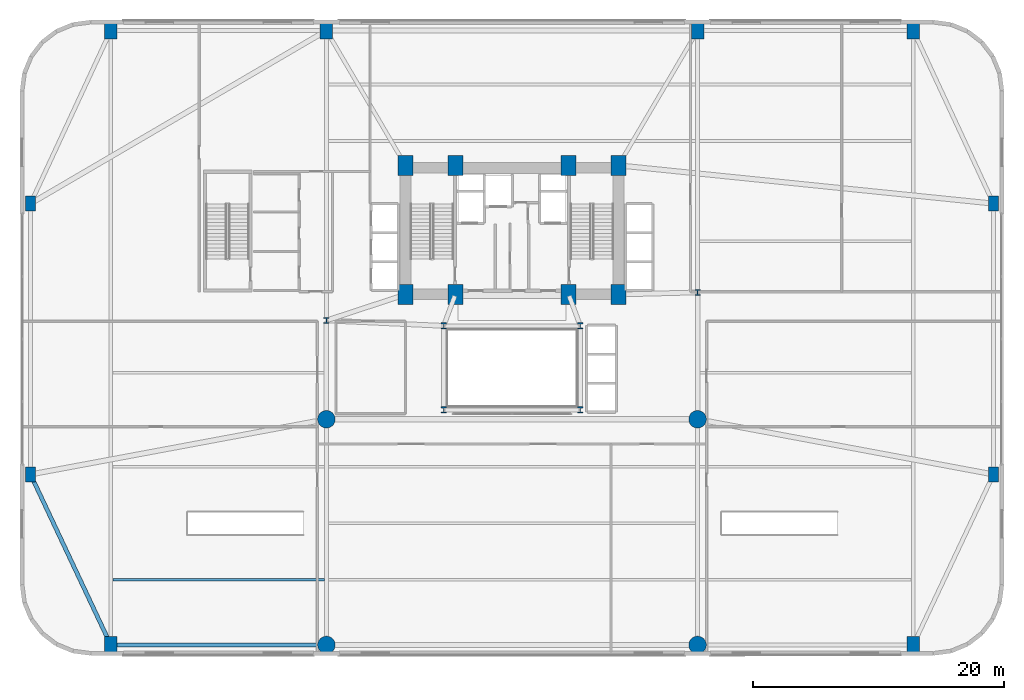
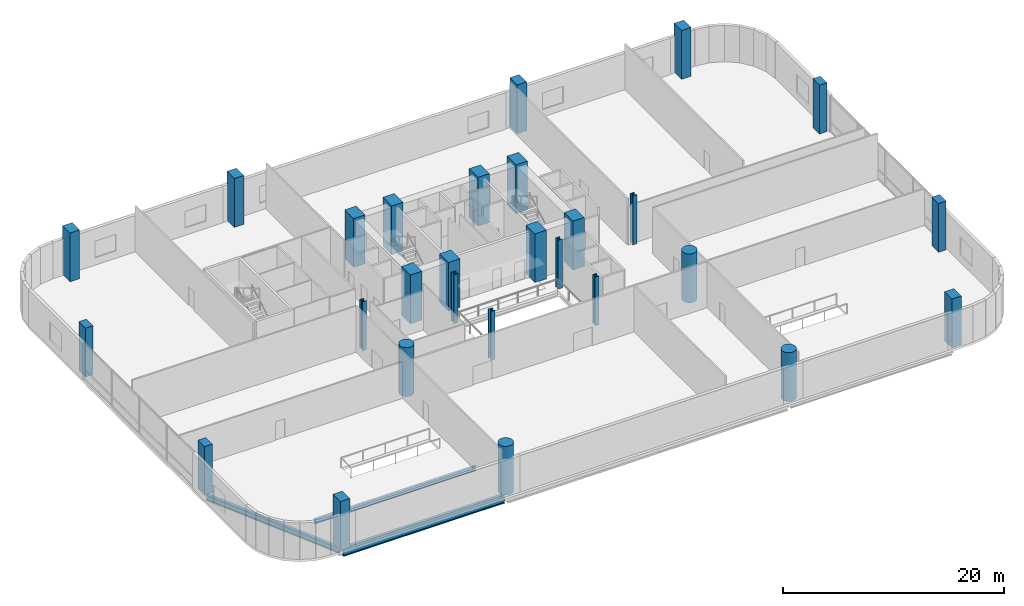
# One storey, part 1 of 31: 28 columns, 3 beams.
"""IFC4 building model written with IfcOpenShell, lengths in metres."""

from ifc_helpers import new_model, si_unit, direction, frame, origin, origin_2d, place, context, subcontext, project, spatial, rectangle, circle, i_section, extrude, material, material_profile, profile_set, type_object, element, save


model = new_model("IFC4")

# Units and contexts
model_context = context("Model", 3, precision=1e-05, world=origin(), true_north=direction((0.0, 1.0)))
body_context = subcontext(model_context, "Body", "Model", "MODEL_VIEW")
ifc_project = project(units=[si_unit("LENGTHUNIT", "METRE"), si_unit("AREAUNIT", "SQUARE_METRE"), si_unit("VOLUMEUNIT", "CUBIC_METRE"), si_unit("PLANEANGLEUNIT", "RADIAN"), si_unit("MASSUNIT", "GRAM", prefix="KILO")], contexts=[model_context])

# Site, building, storey
site_placement = place(None, origin())
site = spatial("IfcSite", under=ifc_project, at=site_placement, CompositionType="ELEMENT")
building_placement = place(site_placement, origin())
building = spatial("IfcBuilding", under=site, at=building_placement, Name="Varnelok Gate Tower", CompositionType="ELEMENT")
storey_placement = place(building_placement, frame((0.0, 0.0, 16.199951171875)))
storey = spatial("IfcBuildingStorey", under=building, at=storey_placement, Name="L03", CompositionType="ELEMENT", Elevation=16.199951171875)

# Columns
ifc_material_1 = material(Name="Concrete C60/75", Category="concrete")
ifc_material_profile_1 = material_profile(ifc_material_1, rectangle(XDim=0.800048828125, YDim=1.199951171875, at=origin_2d()), Name="RC1200X800")
ifc_profile_set_1 = profile_set([ifc_material_profile_1], Name="Concrete C60/75")
column_type_1 = type_object("IfcColumnType", Name="COL-PIL-RC1200", PredefinedType="PILASTER", material=ifc_profile_set_1)
for number, where, z_axis, x_axis, name in (
    (1, (0.800048828125, 14.39990234375, 0.0), (0.0, 0.0, 1.0), (1.0, 0.0, 0.0), "L03 Podium Mega-Column PM11"),
    (2, (0.800048828125, 36.0, 0.0), (0.0, 0.0, 1.0), (1.0, 0.0, 0.0), "L03 Podium Mega-Column PM12"),
    (3, (77.60009765625, 14.39990234375, 0.0), (0.0, 0.0, 1.0), (1.0, 0.0, 0.0), "L03 Podium Mega-Column PM13"),
    (4, (77.60009765625, 36.0, 0.0), (0.0, 0.0, 1.0), (1.0, 0.0, 0.0), "L03 Podium Mega-Column PM14"),
):
    element("IfcColumn", number, at=place(storey_placement, frame(where, z_axis=z_axis, x_axis=x_axis)), inside=storey, type_object=column_type_1, Name=name, PredefinedType="PILASTER", context=body_context, shape_type="SweptSolid", body=[
        extrude(rectangle(XDim=0.800048828125, YDim=1.199951171875, at=origin_2d()), origin(), (0.0, 0.0, 1.0), 5.400146484375),
    ])
ifc_material_2 = material(Name="Concrete C70/85", Category="concrete")
ifc_material_profile_2 = material_profile(ifc_material_2, rectangle(XDim=1.0, YDim=1.35009765625, at=origin_2d()), Name="RC1350X1000")
ifc_profile_set_2 = profile_set([ifc_material_profile_2], Name="Concrete C70/85")
column_type_2 = type_object("IfcColumnType", Name="COL-RC1350X1000", PredefinedType="COLUMN", material=ifc_profile_set_2)
for number, where, z_axis, x_axis, name in (
    (5, (7.199951171875, 0.800048828125, 0.0), (0.0, 0.0, 1.0), (1.0, 0.0, 0.0), "L03 Podium Mega-Column PM01"),
    (6, (71.199951171875, 0.800048828125, 0.0), (0.0, 0.0, 1.0), (1.0, 0.0, 0.0), "L03 Podium Mega-Column PM04"),
    (7, (7.199951171875, 49.800048828125, 0.0), (0.0, 0.0, 1.0), (1.0, 0.0, 0.0), "L03 Podium Mega-Column PM07"),
    (8, (24.39990234375, 49.800048828125, 0.0), (0.0, 0.0, 1.0), (1.0, 0.0, 0.0), "L03 Podium Mega-Column PM08"),
    (9, (54.0, 49.800048828125, 0.0), (0.0, 0.0, 1.0), (1.0, 0.0, 0.0), "L03 Podium Mega-Column PM09"),
    (10, (71.199951171875, 49.800048828125, 0.0), (0.0, 0.0, 1.0), (1.0, 0.0, 0.0), "L03 Podium Mega-Column PM10"),
):
    element("IfcColumn", number, at=place(storey_placement, frame(where, z_axis=z_axis, x_axis=x_axis)), inside=storey, type_object=column_type_2, Name=name, PredefinedType="COLUMN", context=body_context, shape_type="SweptSolid", body=[
        extrude(rectangle(XDim=1.0, YDim=1.35009765625, at=origin_2d()), origin(), (0.0, 0.0, 1.0), 5.400146484375),
    ])
ifc_material_profile_3 = material_profile(ifc_material_2, rectangle(XDim=1.199951171875, YDim=1.60009765625, at=origin_2d()), Name="RC1600X1200")
ifc_profile_set_3 = profile_set([ifc_material_profile_3], Name="Concrete C70/85")
column_type_3 = type_object("IfcColumnType", Name="COL-RC1600X1200", PredefinedType="COLUMN", material=ifc_profile_set_3)
for number, where, z_axis, x_axis, name in (
    (11, (30.699951171875, 28.75, 0.0), (0.0, 0.0, 1.0), (1.0, 0.0, 0.0), "L03 Core Spine Column SC1"),
    (12, (34.679931640625, 28.75, 0.0), (0.0, 0.0, 1.0), (1.0, 0.0, 0.0), "L03 Core Spine Column SC2"),
    (13, (43.719970703125, 28.75, 0.0), (0.0, 0.0, 1.0), (1.0, 0.0, 0.0), "L03 Core Spine Column SC3"),
    (14, (47.699951171875, 28.75, 0.0), (0.0, 0.0, 1.0), (1.0, 0.0, 0.0), "L03 Core Spine Column SC4"),
    (15, (30.699951171875, 39.050048828125, 0.0), (0.0, 0.0, 1.0), (1.0, 0.0, 0.0), "L03 Core Spine Column SC5"),
    (16, (34.679931640625, 39.050048828125, 0.0), (0.0, 0.0, 1.0), (1.0, 0.0, 0.0), "L03 Core Spine Column SC6"),
    (17, (43.719970703125, 39.050048828125, 0.0), (0.0, 0.0, 1.0), (1.0, 0.0, 0.0), "L03 Core Spine Column SC7"),
    (18, (47.699951171875, 39.050048828125, 0.0), (0.0, 0.0, 1.0), (1.0, 0.0, 0.0), "L03 Core Spine Column SC8"),
):
    element("IfcColumn", number, at=place(storey_placement, frame(where, z_axis=z_axis, x_axis=x_axis)), inside=storey, type_object=column_type_3, Name=name, PredefinedType="COLUMN", context=body_context, shape_type="SweptSolid", body=[
        extrude(rectangle(XDim=1.199951171875, YDim=1.60009765625, at=origin_2d()), origin(), (0.0, 0.0, 1.0), 5.400146484375),
    ])
ifc_material_profile_4 = material_profile(ifc_material_1, circle(Radius=0.699951171875, at=origin_2d()), Name="RCD1400")
ifc_profile_set_4 = profile_set([ifc_material_profile_4], Name="Concrete C60/75")
column_type_4 = type_object("IfcColumnType", Name="COL-RCD1400", PredefinedType="COLUMN", material=ifc_profile_set_4)
for number, where, z_axis, x_axis, name in (
    (19, (24.39990234375, 0.800048828125, 0.0), (0.0, 0.0, 1.0), (1.0, 0.0, 0.0), "L03 Podium Mega-Column PM02"),
    (20, (54.0, 0.800048828125, 0.0), (0.0, 0.0, 1.0), (1.0, 0.0, 0.0), "L03 Podium Mega-Column PM03"),
    (21, (24.39990234375, 18.800048828125, 0.0), (0.0, 0.0, 1.0), (1.0, 0.0, 0.0), "L03 Podium Mega-Column PM05"),
    (22, (54.0, 18.800048828125, 0.0), (0.0, 0.0, 1.0), (1.0, 0.0, 0.0), "L03 Podium Mega-Column PM06"),
):
    element("IfcColumn", number, at=place(storey_placement, frame(where, z_axis=z_axis, x_axis=x_axis)), inside=storey, type_object=column_type_4, Name=name, PredefinedType="COLUMN", context=body_context, shape_type="SweptSolid", body=[
        extrude(circle(Radius=0.699951171875, at=origin_2d()), origin(), (0.0, 0.0, 1.0), 5.400146484375),
    ])
ifc_material_3 = material(Name="Structural Steel ASTM A992 Grade 50", Category="steel")
ifc_material_profile_5 = material_profile(ifc_material_3, i_section(OverallWidth=0.431884765625, OverallDepth=0.498046875, WebThickness=0.0556640625, FlangeThickness=0.0888671875, FilletRadius=0.02490234375, at=origin_2d()), Name="W14X500")
ifc_profile_set_5 = profile_set([ifc_material_profile_5], Name="Structural Steel ASTM A992 Grade 50")
column_type_5 = type_object("IfcColumnType", Name="COL-W14X500", PredefinedType="COLUMN", material=ifc_profile_set_5)
for number, where, z_axis, x_axis, name in (
    (23, (33.75, 19.550048828125, 0.0), (0.0, 0.0, 1.0), (1.0, 0.0, 0.0), "L03 Atrium Spine Column AC1"),
    (24, (44.64990234375, 19.550048828125, 0.0), (0.0, 0.0, 1.0), (1.0, 0.0, 0.0), "L03 Atrium Spine Column AC2"),
    (25, (33.75, 26.25, 0.0), (0.0, 0.0, 1.0), (1.0, 0.0, 0.0), "L03 Atrium Spine Column AC3"),
    (26, (44.64990234375, 26.25, 0.0), (0.0, 0.0, 1.0), (1.0, 0.0, 0.0), "L03 Atrium Spine Column AC4"),
    (27, (24.39990234375, 26.679931640625, 0.0), (0.0, 0.0, 1.0), (1.0, 0.0, 0.0), "L03 Wing Spine Column WS2"),
    (28, (54.0, 28.919921875, 0.0), (0.0, 0.0, 1.0), (1.0, 0.0, 0.0), "L03 Wing Spine Column ES2"),
):
    element("IfcColumn", number, at=place(storey_placement, frame(where, z_axis=z_axis, x_axis=x_axis)), inside=storey, type_object=column_type_5, Name=name, PredefinedType="COLUMN", context=body_context, shape_type="SweptSolid", body=[
        extrude(i_section(OverallWidth=0.431884765625, OverallDepth=0.498046875, WebThickness=0.0556640625, FlangeThickness=0.0888671875, FilletRadius=0.02490234375, at=origin_2d()), origin(), (0.0, 0.0, 1.0), 5.400146484375),
    ])

# Beams
ifc_material_profile_6 = material_profile(ifc_material_3, i_section(OverallWidth=0.2119140625, OverallDepth=0.5439453125, WebThickness=0.01318359375, FlangeThickness=0.021240234375, FilletRadius=0.01611328125, at=origin_2d()), Name="W21X83")
ifc_profile_set_6 = profile_set([ifc_material_profile_6], Name="Structural Steel ASTM A992 Grade 50")
beam_type_1 = type_object("IfcBeamType", Name="BM-JST-W21X83", PredefinedType="JOIST", material=ifc_profile_set_6)
beam_1_placement = place(storey_placement, frame((7.360107421875, 6.0, -0.552001953125), z_axis=(1.0, 0.0, 0.0), x_axis=(0.0, 1.0, 0.0)))
element("IfcBeam", 29, at=beam_1_placement, inside=storey, type_object=beam_type_1, Name="L03 Podium Floor Joist", PredefinedType="JOIST", context=body_context, shape_type="SweptSolid", body=[
    extrude(i_section(OverallWidth=0.2119140625, OverallDepth=0.5439453125, WebThickness=0.01318359375, FlangeThickness=0.021240234375, FilletRadius=0.01611328125, at=origin_2d()), origin(), (0.0, 0.0, 1.0), 16.8798828125),
])
ifc_material_profile_7 = material_profile(ifc_material_3, i_section(OverallWidth=0.30810546875, OverallDepth=0.943115234375, WebThickness=0.022216796875, FlangeThickness=0.039794921875, FilletRadius=0.02587890625, at=origin_2d()), Name="W36X232")
ifc_profile_set_7 = profile_set([ifc_material_profile_7], Name="Structural Steel ASTM A992 Grade 50")
beam_type_2 = type_object("IfcBeamType", Name="BM-PRI-W36X232", PredefinedType="BEAM", material=ifc_profile_set_7)
beam_2_placement = place(storey_placement, frame((7.340087890625, 0.800048828125, -0.75146484375), z_axis=(1.0, 0.0, 0.0), x_axis=(0.0, 1.0, 0.0)))
element("IfcBeam", 30, at=beam_2_placement, inside=storey, type_object=beam_type_2, Name="L03 Podium Primary Girder 1", PredefinedType="BEAM", context=body_context, shape_type="SweptSolid", body=[
    extrude(i_section(OverallWidth=0.30810546875, OverallDepth=0.943115234375, WebThickness=0.022216796875, FlangeThickness=0.039794921875, FilletRadius=0.02587890625, at=origin_2d()), origin(), (0.0, 0.0, 1.0), 16.919921875),
])
ifc_material_profile_8 = material_profile(ifc_material_3, i_section(OverallWidth=0.323974609375, OverallDepth=0.611083984375, WebThickness=0.0126953125, FlangeThickness=0.01904296875, FilletRadius=0.01806640625, at=origin_2d()), Name="W24X104")
ifc_profile_set_8 = profile_set([ifc_material_profile_8], Name="Structural Steel ASTM A992 Grade 50")
beam_type_3 = type_object("IfcBeamType", Name="BM-SPN-W24X104", PredefinedType="SPANDREL", material=ifc_profile_set_8)
beam_3_placement = place(storey_placement, frame((7.140380859375, 0.9267578125, -0.58544921875), z_axis=(-0.425801818887, 0.90481645157, 0.0), x_axis=(-0.90481645157, -0.425801818887, 0.0)))
element("IfcBeam", 31, at=beam_3_placement, inside=storey, type_object=beam_type_3, Name="L03 Podium Primary Girder 8", PredefinedType="SPANDREL", context=body_context, shape_type="SweptSolid", body=[
    extrude(i_section(OverallWidth=0.323974609375, OverallDepth=0.611083984375, WebThickness=0.0126953125, FlangeThickness=0.01904296875, FilletRadius=0.01806640625, at=origin_2d()), origin(), (0.0, 0.0, 1.0), 14.75048828125),
])

save(model, "model.ifc")
